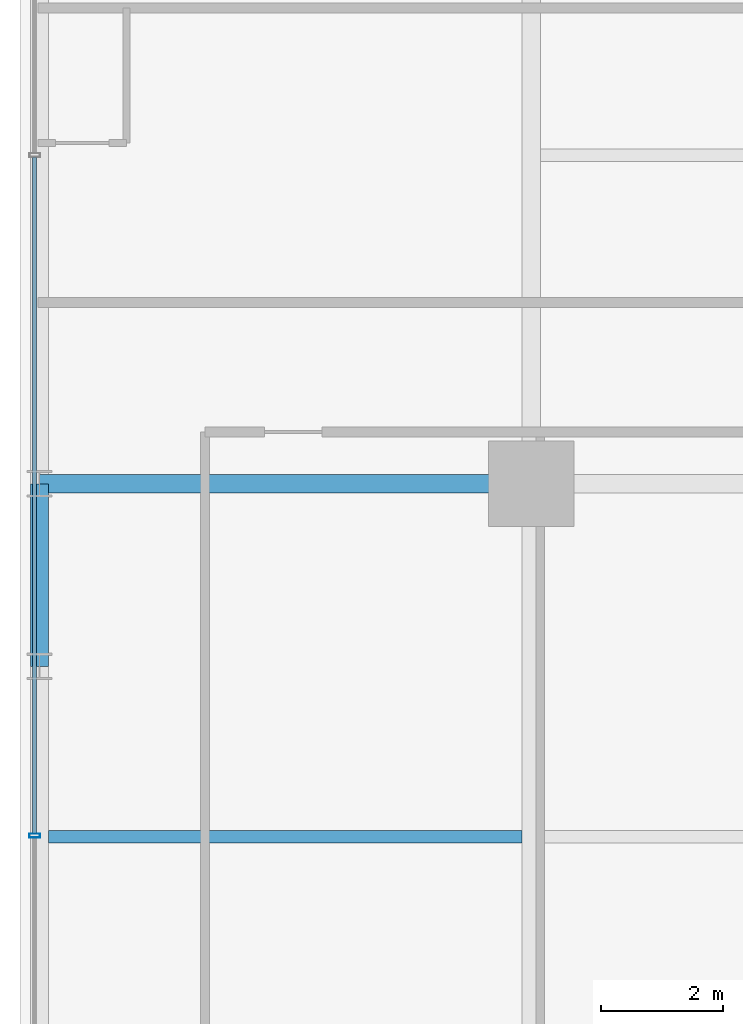
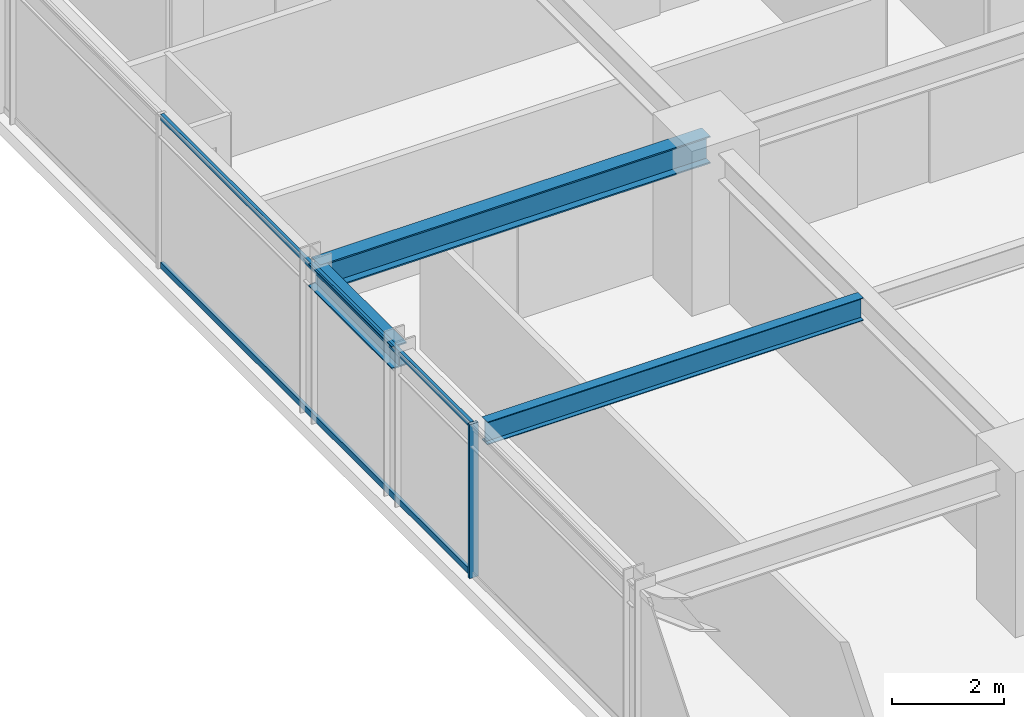
# One storey, part 7 of 36: 3 beams, 3 members, 1 element without a shape of its own.
"""IFC4 building model written with IfcOpenShell, lengths in metres."""

from ifc_helpers import new_model, si_unit, direction, frame, origin, origin_2d, place, context, subcontext, project, spatial, hollow_rectangle, i_section, extrude, source, transform, mapped, material, material_profile, profile_set, type_object, element, aggregate, save


model = new_model("IFC4")

# Units and contexts
model_context = context("Model", 3, precision=1e-05, world=origin(), true_north=direction((0.0, 1.0)))
body_context = subcontext(model_context, "Body", "Model", "MODEL_VIEW")
ifc_project = project(units=[si_unit("LENGTHUNIT", "METRE"), si_unit("AREAUNIT", "SQUARE_METRE"), si_unit("VOLUMEUNIT", "CUBIC_METRE"), si_unit("PLANEANGLEUNIT", "RADIAN"), si_unit("MASSUNIT", "GRAM", prefix="KILO")], contexts=[model_context])

# Site, building, storey
site_placement = place(None, origin())
site = spatial("IfcSite", under=ifc_project, at=site_placement, CompositionType="ELEMENT")
building_placement = place(site_placement, origin())
building = spatial("IfcBuilding", under=site, at=building_placement, Name="Nahalor Promenade Grand Hotel", CompositionType="ELEMENT")
storey_placement = place(building_placement, frame((0.0, 0.0, 72.550048828125)))
storey = spatial("IfcBuildingStorey", under=building, at=storey_placement, Name="L17", CompositionType="ELEMENT", Elevation=72.550048828125)

# Beams
ifc_material_1 = material(Name="Steel S355JR", Category="steel")
ifc_material_profile_1 = material_profile(ifc_material_1, i_section(OverallWidth=0.3, OverallDepth=0.5, WebThickness=0.0145, FlangeThickness=0.028, at=origin_2d()), Name="HEB 500")
ifc_profile_set_1 = profile_set([ifc_material_profile_1], Name="Steel S355JR")
beam_type_1 = type_object("IfcBeamType", Name="Beam-Spandrel-HEB500", PredefinedType="SPANDREL", material=ifc_profile_set_1)
shared_shape_1 = source(origin(), body_context, "Body", "SweptSolid", [
    extrude(i_section(OverallWidth=0.3, OverallDepth=0.5, WebThickness=0.0145, FlangeThickness=0.028, at=origin_2d()), origin(), (0.0, 0.0, 1.0), 3.0),
])
beam_1_placement = place(storey_placement, frame((-25.080078125, -8.39990234375, 3.119873046875), z_axis=(0.0, 1.0, 0.0), x_axis=(-1.0, 0.0, 0.0)))
element("IfcBeam", 1, at=beam_1_placement, inside=storey, type_object=beam_type_1, Name="BM-L17-SP-W-1", PredefinedType="SPANDREL", context=body_context, shape_type="MappedRepresentation", body=[
    mapped(shared_shape_1, transform((0.0, 0.0, 0.0), scale=1.0)),
])
ifc_material_profile_2 = material_profile(ifc_material_1, i_section(OverallWidth=0.3, OverallDepth=0.6, WebThickness=0.0155, FlangeThickness=0.03, at=origin_2d()), Name="HEB 600")
ifc_profile_set_2 = profile_set([ifc_material_profile_2], Name="Steel S355JR")
beam_type_2 = type_object("IfcBeamType", Name="Beam-Girder-HEB600", PredefinedType="BEAM", material=ifc_profile_set_2)
shared_shape_2 = source(origin(), body_context, "Body", "SweptSolid", [
    extrude(i_section(OverallWidth=0.3, OverallDepth=0.6, WebThickness=0.0155, FlangeThickness=0.03, at=origin_2d()), origin(), (0.0, 0.0, 1.0), 8.080078125),
])
beam_2_placement = place(storey_placement, frame((-25.080078125, -5.39990234375, 3.070068359375), z_axis=(1.0, 0.0, 0.0), x_axis=(0.0, 1.0, 0.0)))
element("IfcBeam", 2, at=beam_2_placement, inside=storey, type_object=beam_type_2, Name="BM-L17-GX-1-0", PredefinedType="BEAM", context=body_context, shape_type="MappedRepresentation", body=[
    mapped(shared_shape_2, transform((0.0, 0.0, 0.0), scale=1.0)),
])
ifc_material_profile_3 = material_profile(ifc_material_1, i_section(OverallWidth=0.2, OverallDepth=0.5, WebThickness=0.0102, FlangeThickness=0.016, at=origin_2d()), Name="IPE 500")
ifc_profile_set_3 = profile_set([ifc_material_profile_3], Name="Steel S355JR")
beam_type_3 = type_object("IfcBeamType", Name="Beam-Joist-IPE500", PredefinedType="JOIST", material=ifc_profile_set_3)
shared_shape_3 = source(origin(), body_context, "Body", "SweptSolid", [
    extrude(i_section(OverallWidth=0.2, OverallDepth=0.5, WebThickness=0.0102, FlangeThickness=0.016, at=origin_2d()), origin(), (0.0, 0.0, 1.0), 7.780029296875),
])
beam_3_placement = place(storey_placement, frame((-24.929931640625, -11.199951171875, 3.119873046875), z_axis=(1.0, 0.0, 0.0), x_axis=(0.0, 1.0, 0.0)))
element("IfcBeam", 3, at=beam_3_placement, inside=storey, type_object=beam_type_3, Name="BM-L17-JSW-0-0", PredefinedType="JOIST", context=body_context, shape_type="MappedRepresentation", body=[
    mapped(shared_shape_3, transform((0.0, 0.0, 0.0), scale=1.0)),
])

# Curtain wall, members
ifc_material_2 = material(Name="Anodised Bronze Aluminium EN AW-6063 T6", Category="aluminium")
curtain_wall_type = type_object("IfcCurtainWallType", Name="CW2 Typical Hotel Flush Bronze Unitised Curtain Wall", PredefinedType="USERDEFINED", material=ifc_material_2)
curtain_wall_placement = place(storey_placement, origin())
curtain_wall = element("IfcCurtainWall", 4, at=curtain_wall_placement, inside=storey, type_object=curtain_wall_type, Name="L17 Curtain Wall CW-L17-W-1", ObjectType="UNITISED_CURTAIN_WALL", PredefinedType="USERDEFINED")
ifc_material_profile_4 = material_profile(ifc_material_2, hollow_rectangle(XDim=0.065, YDim=0.13, WallThickness=0.004, at=origin_2d()), Name="CWT 65x130x4")
ifc_profile_set_4 = profile_set([ifc_material_profile_4], Name="Anodised Bronze Aluminium EN AW-6063 T6")
member_type_1 = type_object("IfcMemberType", Name="CWT2 Typical Bronze Transom 65x130", PredefinedType="USERDEFINED", material=ifc_profile_set_4)
shared_shape_4 = source(origin(), body_context, "Body", "SweptSolid", [
    extrude(hollow_rectangle(XDim=0.065, YDim=0.13, WallThickness=0.004, at=origin_2d()), origin(), (0.0, 0.0, 1.0), 11.114990234375),
])
member_1_placement = place(storey_placement, frame((-25.159912109375, -11.1474609375, 0.06494140625), z_axis=(0.0, 1.0, 0.0), x_axis=(-1.0, 0.0, 0.0)))
member_1 = element("IfcMember", 5, at=member_1_placement, type_object=member_type_1, Name="CW-L17-W-1 Transom 1-0", ObjectType="TRANSOM", PredefinedType="USERDEFINED", context=body_context, shape_type="MappedRepresentation", body=[
    mapped(shared_shape_4, transform((0.0, 0.0, 0.0), scale=1.0)),
])
member_2_placement = place(storey_placement, frame((-25.159912109375, -11.1474609375, 3.304931640625), z_axis=(0.0, 1.0, 0.0), x_axis=(-1.0, 0.0, 0.0)))
member_2 = element("IfcMember", 6, at=member_2_placement, type_object=member_type_1, Name="CW-L17-W-1 Transom 1-1", ObjectType="TRANSOM", PredefinedType="USERDEFINED", context=body_context, shape_type="MappedRepresentation", body=[
    mapped(shared_shape_4, transform((0.0, 0.0, 0.0), scale=1.0)),
])
ifc_material_profile_5 = material_profile(ifc_material_2, hollow_rectangle(XDim=0.065, YDim=0.18, WallThickness=0.004, at=origin_2d()), Name="CWM 65x180x4")
ifc_profile_set_5 = profile_set([ifc_material_profile_5], Name="Anodised Bronze Aluminium EN AW-6063 T6")
member_type_2 = type_object("IfcMemberType", Name="CWM2 Typical Bronze Mullion 65x180", PredefinedType="MULLION", material=ifc_profile_set_5)
shared_shape_5 = source(origin(), body_context, "Body", "SweptSolid", [
    extrude(hollow_rectangle(XDim=0.065, YDim=0.18, WallThickness=0.004, at=origin_2d()), origin(), (0.0, 0.0, 1.0), 3.369873046875),
])
member_3_placement = place(storey_placement, frame((-25.159912109375, -11.179931640625, 0.0), z_axis=(0.0, 0.0, 1.0), x_axis=(0.0, 1.0, 0.0)))
member_3 = element("IfcMember", 7, at=member_3_placement, type_object=member_type_2, Name="CW-L17-W-1 Mullion 1", PredefinedType="MULLION", context=body_context, shape_type="MappedRepresentation", body=[
    mapped(shared_shape_5, transform((0.0, 0.0, 0.0), scale=1.0)),
])
aggregate(curtain_wall, [member_3, member_1, member_2])

save(model, "model.ifc")
